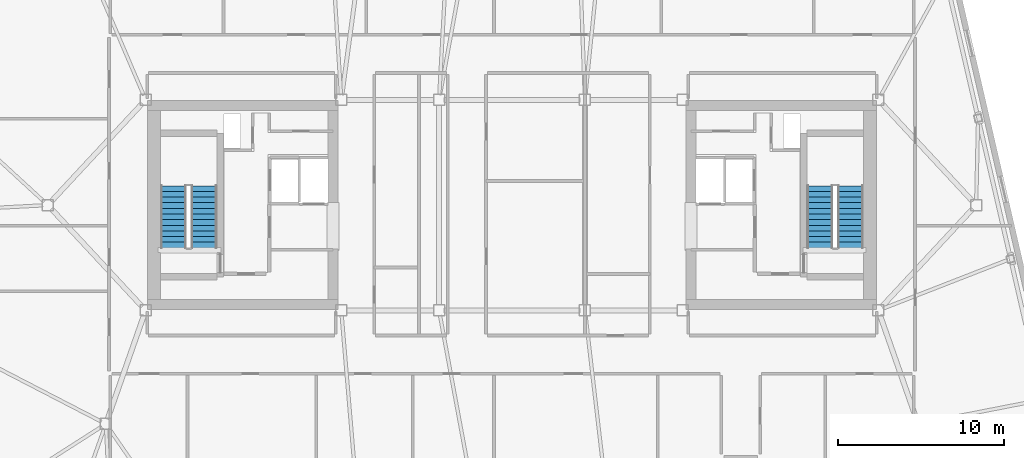
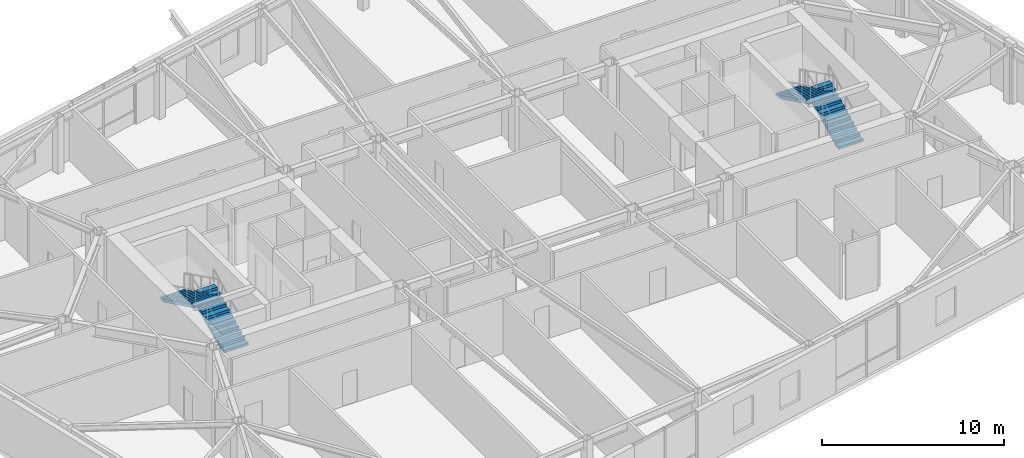
# One storey, part 19 of 22: 4 stair flights, 2 elements without a shape of their own.
"""IFC4 building model written with IfcOpenShell, lengths in metres."""

from ifc_helpers import new_model, si_unit, direction, frame, origin, place, context, subcontext, project, spatial, polyline, outline, extrude, material, type_object, element, aggregate, save


model = new_model("IFC4")

# Units and contexts
model_context = context("Model", 3, precision=1e-05, world=origin(), true_north=direction((0.0, 1.0)))
body_context = subcontext(model_context, "Body", "Model", "MODEL_VIEW")
ifc_project = project(units=[si_unit("LENGTHUNIT", "METRE"), si_unit("AREAUNIT", "SQUARE_METRE"), si_unit("VOLUMEUNIT", "CUBIC_METRE"), si_unit("PLANEANGLEUNIT", "RADIAN"), si_unit("MASSUNIT", "GRAM", prefix="KILO")], contexts=[model_context])

# Site, building, storey
site_placement = place(None, origin())
site = spatial("IfcSite", under=ifc_project, at=site_placement, CompositionType="ELEMENT")
building_placement = place(site_placement, origin())
building = spatial("IfcBuilding", under=site, at=building_placement, Name="Tavrogorsk Clinical Tower", CompositionType="ELEMENT")
storey_placement = place(building_placement, frame((0.0, 0.0, 317.0)))
storey = spatial("IfcBuildingStorey", under=building, at=storey_placement, Name="L74", CompositionType="ELEMENT", Elevation=317.0)

# Stair, stair flights
ifc_material_1 = material(Name="Concrete B60", Category="concrete")
stair_type = type_object("IfcStairType", Name="CoreStairAssembly", PredefinedType="HALF_TURN_STAIR", material=ifc_material_1)
stair_1_placement = place(storey_placement, origin())
stair_1 = element("IfcStair", 1, at=stair_1_placement, inside=storey, type_object=stair_type, Name="L74 ST-W", PredefinedType="HALF_TURN_STAIR")
ifc_material_2 = material(Name="Concrete B60", Category="concrete")
stair_flight_type = type_object("IfcStairFlightType", Name="CoreStairFlight", PredefinedType="STRAIGHT", material=ifc_material_2)
stair_flight_1_placement = place(storey_placement, frame((-18.574951171875, -2.574951171875, 0.0), z_axis=(0.0, 0.0, 1.0), x_axis=(0.0, 1.0, 0.0)))
stair_flight_1 = element("IfcStairFlight", 2, at=stair_flight_1_placement, type_object=stair_flight_type, Name="ST-W flight 1", NumberOfRisers=12, NumberOfTreads=11, PredefinedType="STRAIGHT", RiserHeight=0.166666667, TreadLength=0.34, context=body_context, shape_type="SweptSolid", body=[
    extrude(outline(polyline([(0.0, 0.0), (0.0, 0.166748046875), (0.340087890625, 0.166748046875), (0.340087890625, 0.333251953125), (0.679931640625, 0.333251953125), (0.679931640625, 0.5), (1.02001953125, 0.5), (1.02001953125, 0.666748046875), (1.360107421875, 0.666748046875), (1.360107421875, 0.833251953125), (1.699951171875, 0.833251953125), (1.699951171875, 1.0), (2.0400390625, 1.0), (2.0400390625, 1.166748046875), (2.3798828125, 1.166748046875), (2.3798828125, 1.333251953125), (2.719970703125, 1.333251953125), (2.719970703125, 1.5), (3.06005859375, 1.5), (3.06005859375, 1.666748046875), (3.39990234375, 1.666748046875), (3.39990234375, 1.833251953125), (3.739990234375, 1.833251953125), (3.739990234375, 2.0), (3.739990234375, 1.66650390625), (0.340576171875, 0.0), (0.0, 0.0)])), frame((0.0, 0.77490234375, 0.0), z_axis=(0.0, -1.0, 0.0), x_axis=(1.0, 0.0, 0.0)), (0.0, 0.0, 1.0), 1.550048828125),
])
stair_flight_2_placement = place(storey_placement, frame((-20.425048828125, 1.1650390625, 2.0), z_axis=(0.0, 0.0, 1.0), x_axis=(0.0, -1.0, 0.0)))
stair_flight_2 = element("IfcStairFlight", 3, at=stair_flight_2_placement, type_object=stair_flight_type, Name="ST-W flight 2", NumberOfRisers=12, NumberOfTreads=11, PredefinedType="STRAIGHT", RiserHeight=0.166666667, TreadLength=0.34, context=body_context, shape_type="SweptSolid", body=[
    extrude(outline(polyline([(0.0, 0.0), (0.0, 0.166748046875), (0.340087890625, 0.166748046875), (0.340087890625, 0.333251953125), (0.679931640625, 0.333251953125), (0.679931640625, 0.5), (1.02001953125, 0.5), (1.02001953125, 0.666748046875), (1.360107421875, 0.666748046875), (1.360107421875, 0.833251953125), (1.699951171875, 0.833251953125), (1.699951171875, 1.0), (2.0400390625, 1.0), (2.0400390625, 1.166748046875), (2.3798828125, 1.166748046875), (2.3798828125, 1.333251953125), (2.719970703125, 1.333251953125), (2.719970703125, 1.5), (3.06005859375, 1.5), (3.06005859375, 1.666748046875), (3.39990234375, 1.666748046875), (3.39990234375, 1.833251953125), (3.739990234375, 1.833251953125), (3.739990234375, 2.0), (3.739990234375, 1.66650390625), (0.340576171875, 0.0), (0.0, 0.0)])), frame((0.0, 0.77490234375, 0.0), z_axis=(0.0, -1.0, 0.0), x_axis=(1.0, 0.0, 0.0)), (0.0, 0.0, 1.0), 1.550048828125),
])
aggregate(stair_1, [stair_flight_1, stair_flight_2])

stair_2_placement = place(storey_placement, origin())
stair_2 = element("IfcStair", 4, at=stair_2_placement, inside=storey, type_object=stair_type, Name="L74 ST-E", PredefinedType="HALF_TURN_STAIR")
stair_flight_3_placement = place(storey_placement, frame((20.425048828125, -2.574951171875, 0.0), z_axis=(0.0, 0.0, 1.0), x_axis=(0.0, 1.0, 0.0)))
stair_flight_3 = element("IfcStairFlight", 5, at=stair_flight_3_placement, type_object=stair_flight_type, Name="ST-E flight 1", NumberOfRisers=12, NumberOfTreads=11, PredefinedType="STRAIGHT", RiserHeight=0.166666667, TreadLength=0.34, context=body_context, shape_type="SweptSolid", body=[
    extrude(outline(polyline([(0.0, 0.0), (0.0, 0.166748046875), (0.340087890625, 0.166748046875), (0.340087890625, 0.333251953125), (0.679931640625, 0.333251953125), (0.679931640625, 0.5), (1.02001953125, 0.5), (1.02001953125, 0.666748046875), (1.360107421875, 0.666748046875), (1.360107421875, 0.833251953125), (1.699951171875, 0.833251953125), (1.699951171875, 1.0), (2.0400390625, 1.0), (2.0400390625, 1.166748046875), (2.3798828125, 1.166748046875), (2.3798828125, 1.333251953125), (2.719970703125, 1.333251953125), (2.719970703125, 1.5), (3.06005859375, 1.5), (3.06005859375, 1.666748046875), (3.39990234375, 1.666748046875), (3.39990234375, 1.833251953125), (3.739990234375, 1.833251953125), (3.739990234375, 2.0), (3.739990234375, 1.66650390625), (0.340576171875, 0.0), (0.0, 0.0)])), frame((0.0, 0.77490234375, 0.0), z_axis=(0.0, -1.0, 0.0), x_axis=(1.0, 0.0, 0.0)), (0.0, 0.0, 1.0), 1.550048828125),
])
stair_flight_4_placement = place(storey_placement, frame((18.574951171875, 1.1650390625, 2.0), z_axis=(0.0, 0.0, 1.0), x_axis=(0.0, -1.0, 0.0)))
stair_flight_4 = element("IfcStairFlight", 6, at=stair_flight_4_placement, type_object=stair_flight_type, Name="ST-E flight 2", NumberOfRisers=12, NumberOfTreads=11, PredefinedType="STRAIGHT", RiserHeight=0.166666667, TreadLength=0.34, context=body_context, shape_type="SweptSolid", body=[
    extrude(outline(polyline([(0.0, 0.0), (0.0, 0.166748046875), (0.340087890625, 0.166748046875), (0.340087890625, 0.333251953125), (0.679931640625, 0.333251953125), (0.679931640625, 0.5), (1.02001953125, 0.5), (1.02001953125, 0.666748046875), (1.360107421875, 0.666748046875), (1.360107421875, 0.833251953125), (1.699951171875, 0.833251953125), (1.699951171875, 1.0), (2.0400390625, 1.0), (2.0400390625, 1.166748046875), (2.3798828125, 1.166748046875), (2.3798828125, 1.333251953125), (2.719970703125, 1.333251953125), (2.719970703125, 1.5), (3.06005859375, 1.5), (3.06005859375, 1.666748046875), (3.39990234375, 1.666748046875), (3.39990234375, 1.833251953125), (3.739990234375, 1.833251953125), (3.739990234375, 2.0), (3.739990234375, 1.66650390625), (0.340576171875, 0.0), (0.0, 0.0)])), frame((0.0, 0.77490234375, 0.0), z_axis=(0.0, -1.0, 0.0), x_axis=(1.0, 0.0, 0.0)), (0.0, 0.0, 1.0), 1.550048828125),
])
aggregate(stair_2, [stair_flight_3, stair_flight_4])

save(model, "model.ifc")
